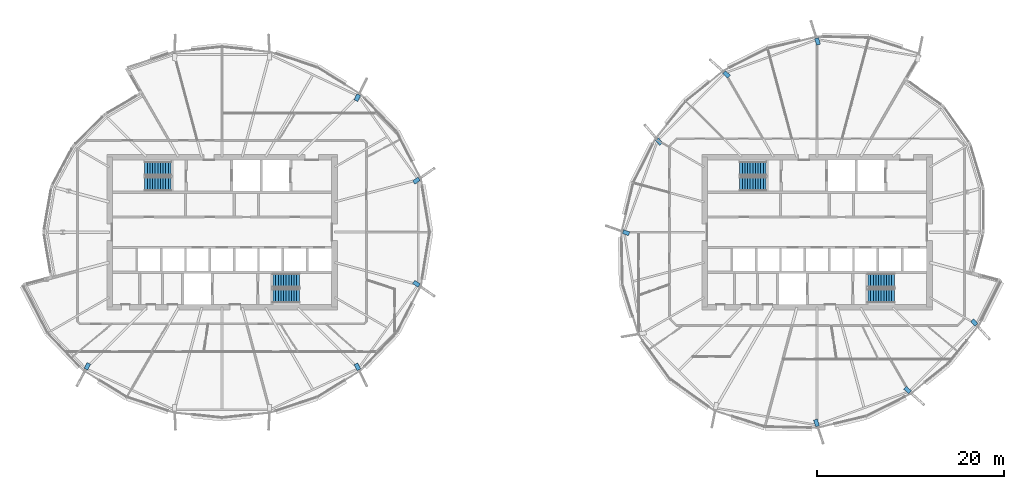
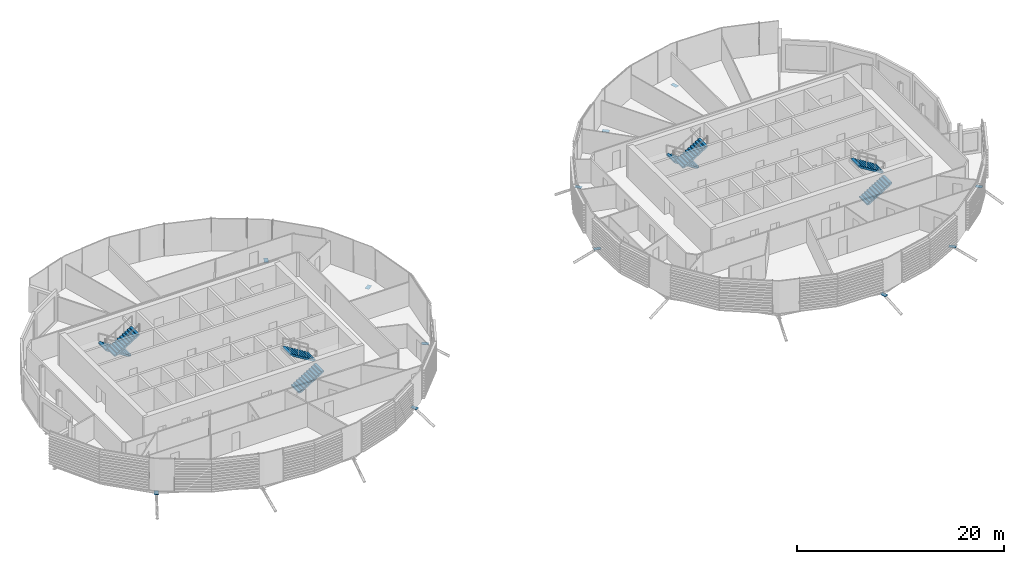
# One storey, part 24 of 36: 12 discrete accessories, 8 stair flights, 4 elements without a shape of their own.
"""IFC4 building model written with IfcOpenShell, lengths in metres."""

from ifc_helpers import new_model, si_unit, direction, frame, origin, origin_2d, place, context, subcontext, project, spatial, polyline, rectangle, outline, extrude, material, material_profile, profile_set, type_object, element, aggregate, save


model = new_model("IFC4")

# Units and contexts
model_context = context("Model", 3, precision=1e-05, world=origin(), true_north=direction((0.0, 1.0)))
body_context = subcontext(model_context, "Body", "Model", "MODEL_VIEW")
ifc_project = project(units=[si_unit("LENGTHUNIT", "METRE"), si_unit("AREAUNIT", "SQUARE_METRE"), si_unit("VOLUMEUNIT", "CUBIC_METRE"), si_unit("PLANEANGLEUNIT", "RADIAN"), si_unit("MASSUNIT", "GRAM", prefix="KILO")], contexts=[model_context])

# Site, building, storey
site_placement = place(None, origin())
site = spatial("IfcSite", under=ifc_project, at=site_placement, CompositionType="ELEMENT")
building_placement = place(site_placement, origin())
building = spatial("IfcBuilding", under=site, at=building_placement, Name="Rimbun Link Towers", CompositionType="ELEMENT")
storey_placement = place(building_placement, frame((0.0, 0.0, 174.10009765625)))
storey = spatial("IfcBuildingStorey", under=building, at=storey_placement, Name="L42", CompositionType="ELEMENT", Elevation=174.10009765625)

# Stair, stair flights
ifc_material_1 = material(Name="Concrete C40/50", Category="concrete")
stair_type = type_object("IfcStairType", Name="Exit stair 3800 rise", PredefinedType="HALF_TURN_STAIR", material=ifc_material_1)
stair_1_placement = place(storey_placement, origin())
stair_1 = element("IfcStair", 1, at=stair_1_placement, inside=storey, type_object=stair_type, Name="L42 EXIT STAIR A", PredefinedType="HALF_TURN_STAIR")
ifc_material_2 = material(Name="Concrete C40/50", Category="concrete")
stair_flight_type = type_object("IfcStairFlightType", Name="Exit stair flight 3800 rise", PredefinedType="STRAIGHT", material=ifc_material_2)
stair_flight_1_placement = place(storey_placement, frame((-37.199951171875, 6.800048828125, 0.0), z_axis=(0.0, 0.0, 1.0), x_axis=(-1.0, 0.0, 0.0)))
stair_flight_1 = element("IfcStairFlight", 2, at=stair_flight_1_placement, type_object=stair_flight_type, Name="ST1 flight 1", NumberOfRisers=11, NumberOfTreads=10, PredefinedType="STRAIGHT", RiserHeight=0.172727273, TreadLength=0.28, context=body_context, shape_type="SweptSolid", body=[
    extrude(outline(polyline([(0.0, 0.0), (0.0, 0.172607421875), (0.280029296875, 0.172607421875), (0.280029296875, 0.345458984375), (0.56005859375, 0.345458984375), (0.56005859375, 0.51806640625), (0.840087890625, 0.51806640625), (0.840087890625, 0.69091796875), (1.1201171875, 0.69091796875), (1.1201171875, 0.863525390625), (1.39990234375, 0.863525390625), (1.39990234375, 1.036376953125), (1.679931640625, 1.036376953125), (1.679931640625, 1.208984375), (1.9599609375, 1.208984375), (1.9599609375, 1.3818359375), (2.239990234375, 1.3818359375), (2.239990234375, 1.554443359375), (2.52001953125, 1.554443359375), (2.52001953125, 1.727294921875), (2.800048828125, 1.727294921875), (2.800048828125, 1.89990234375), (2.800048828125, 1.551025390625), (0.280029296875, 0.0), (0.0, 0.0)])), frame((0.0, 0.75, 0.0), z_axis=(0.0, -1.0, 0.0), x_axis=(1.0, 0.0, 0.0)), (0.0, 0.0, 1.0), 1.5),
])
stair_flight_2_placement = place(storey_placement, frame((-40.0, 5.14990234375, 1.89990234375), z_axis=(0.0, 0.0, 1.0), x_axis=(1.0, 0.0, 0.0)))
stair_flight_2 = element("IfcStairFlight", 3, at=stair_flight_2_placement, type_object=stair_flight_type, Name="ST1 flight 2", NumberOfRisers=11, NumberOfTreads=10, PredefinedType="STRAIGHT", RiserHeight=0.172727273, TreadLength=0.28, context=body_context, shape_type="SweptSolid", body=[
    extrude(outline(polyline([(0.0, 0.0), (0.0, 0.172607421875), (0.280029296875, 0.172607421875), (0.280029296875, 0.345458984375), (0.56005859375, 0.345458984375), (0.56005859375, 0.51806640625), (0.840087890625, 0.51806640625), (0.840087890625, 0.69091796875), (1.1201171875, 0.69091796875), (1.1201171875, 0.863525390625), (1.39990234375, 0.863525390625), (1.39990234375, 1.036376953125), (1.679931640625, 1.036376953125), (1.679931640625, 1.208984375), (1.9599609375, 1.208984375), (1.9599609375, 1.3818359375), (2.239990234375, 1.3818359375), (2.239990234375, 1.554443359375), (2.52001953125, 1.554443359375), (2.52001953125, 1.727294921875), (2.800048828125, 1.727294921875), (2.800048828125, 1.89990234375), (2.800048828125, 1.551025390625), (0.280029296875, 0.0), (0.0, 0.0)])), frame((0.0, 0.75, 0.0), z_axis=(0.0, -1.0, 0.0), x_axis=(1.0, 0.0, 0.0)), (0.0, 0.0, 1.0), 1.5),
])
aggregate(stair_1, [stair_flight_1, stair_flight_2])

stair_2_placement = place(storey_placement, origin())
stair_2 = element("IfcStair", 4, at=stair_2_placement, inside=storey, type_object=stair_type, Name="L42 EXIT STAIR B", PredefinedType="HALF_TURN_STAIR")
stair_flight_3_placement = place(storey_placement, frame((-26.300048828125, -6.800048828125, 0.0), z_axis=(0.0, 0.0, 1.0), x_axis=(1.0, 0.0, 0.0)))
stair_flight_3 = element("IfcStairFlight", 5, at=stair_flight_3_placement, type_object=stair_flight_type, Name="ST2 flight 1", NumberOfRisers=11, NumberOfTreads=10, PredefinedType="STRAIGHT", RiserHeight=0.172727273, TreadLength=0.28, context=body_context, shape_type="SweptSolid", body=[
    extrude(outline(polyline([(0.0, 0.0), (0.0, 0.172607421875), (0.280029296875, 0.172607421875), (0.280029296875, 0.345458984375), (0.56005859375, 0.345458984375), (0.56005859375, 0.51806640625), (0.840087890625, 0.51806640625), (0.840087890625, 0.69091796875), (1.1201171875, 0.69091796875), (1.1201171875, 0.863525390625), (1.39990234375, 0.863525390625), (1.39990234375, 1.036376953125), (1.679931640625, 1.036376953125), (1.679931640625, 1.208984375), (1.9599609375, 1.208984375), (1.9599609375, 1.3818359375), (2.239990234375, 1.3818359375), (2.239990234375, 1.554443359375), (2.52001953125, 1.554443359375), (2.52001953125, 1.727294921875), (2.800048828125, 1.727294921875), (2.800048828125, 1.89990234375), (2.800048828125, 1.551025390625), (0.280029296875, 0.0), (0.0, 0.0)])), frame((0.0, 0.75, 0.0), z_axis=(0.0, -1.0, 0.0), x_axis=(1.0, 0.0, 0.0)), (0.0, 0.0, 1.0), 1.5),
])
stair_flight_4_placement = place(storey_placement, frame((-23.5, -5.14990234375, 1.89990234375), z_axis=(0.0, 0.0, 1.0), x_axis=(-1.0, 0.0, 0.0)))
stair_flight_4 = element("IfcStairFlight", 6, at=stair_flight_4_placement, type_object=stair_flight_type, Name="ST2 flight 2", NumberOfRisers=11, NumberOfTreads=10, PredefinedType="STRAIGHT", RiserHeight=0.172727273, TreadLength=0.28, context=body_context, shape_type="SweptSolid", body=[
    extrude(outline(polyline([(0.0, 0.0), (0.0, 0.172607421875), (0.280029296875, 0.172607421875), (0.280029296875, 0.345458984375), (0.56005859375, 0.345458984375), (0.56005859375, 0.51806640625), (0.840087890625, 0.51806640625), (0.840087890625, 0.69091796875), (1.1201171875, 0.69091796875), (1.1201171875, 0.863525390625), (1.39990234375, 0.863525390625), (1.39990234375, 1.036376953125), (1.679931640625, 1.036376953125), (1.679931640625, 1.208984375), (1.9599609375, 1.208984375), (1.9599609375, 1.3818359375), (2.239990234375, 1.3818359375), (2.239990234375, 1.554443359375), (2.52001953125, 1.554443359375), (2.52001953125, 1.727294921875), (2.800048828125, 1.727294921875), (2.800048828125, 1.89990234375), (2.800048828125, 1.551025390625), (0.280029296875, 0.0), (0.0, 0.0)])), frame((0.0, 0.75, 0.0), z_axis=(0.0, -1.0, 0.0), x_axis=(1.0, 0.0, 0.0)), (0.0, 0.0, 1.0), 1.5),
])
aggregate(stair_2, [stair_flight_3, stair_flight_4])

stair_3_placement = place(storey_placement, origin())
stair_3 = element("IfcStair", 7, at=stair_3_placement, inside=storey, type_object=stair_type, Name="L42 EXIT STAIR A", PredefinedType="HALF_TURN_STAIR")
stair_flight_5_placement = place(storey_placement, frame((26.300048828125, 6.800048828125, 0.0), z_axis=(0.0, 0.0, 1.0), x_axis=(-1.0, 0.0, 0.0)))
stair_flight_5 = element("IfcStairFlight", 8, at=stair_flight_5_placement, type_object=stair_flight_type, Name="ST3 flight 1", NumberOfRisers=11, NumberOfTreads=10, PredefinedType="STRAIGHT", RiserHeight=0.172727273, TreadLength=0.28, context=body_context, shape_type="SweptSolid", body=[
    extrude(outline(polyline([(0.0, 0.0), (0.0, 0.172607421875), (0.280029296875, 0.172607421875), (0.280029296875, 0.345458984375), (0.56005859375, 0.345458984375), (0.56005859375, 0.51806640625), (0.840087890625, 0.51806640625), (0.840087890625, 0.69091796875), (1.1201171875, 0.69091796875), (1.1201171875, 0.863525390625), (1.39990234375, 0.863525390625), (1.39990234375, 1.036376953125), (1.679931640625, 1.036376953125), (1.679931640625, 1.208984375), (1.9599609375, 1.208984375), (1.9599609375, 1.3818359375), (2.239990234375, 1.3818359375), (2.239990234375, 1.554443359375), (2.52001953125, 1.554443359375), (2.52001953125, 1.727294921875), (2.800048828125, 1.727294921875), (2.800048828125, 1.89990234375), (2.800048828125, 1.551025390625), (0.280029296875, 0.0), (0.0, 0.0)])), frame((0.0, 0.75, 0.0), z_axis=(0.0, -1.0, 0.0), x_axis=(1.0, 0.0, 0.0)), (0.0, 0.0, 1.0), 1.5),
])
stair_flight_6_placement = place(storey_placement, frame((23.5, 5.14990234375, 1.89990234375), z_axis=(0.0, 0.0, 1.0), x_axis=(1.0, 0.0, 0.0)))
stair_flight_6 = element("IfcStairFlight", 9, at=stair_flight_6_placement, type_object=stair_flight_type, Name="ST3 flight 2", NumberOfRisers=11, NumberOfTreads=10, PredefinedType="STRAIGHT", RiserHeight=0.172727273, TreadLength=0.28, context=body_context, shape_type="SweptSolid", body=[
    extrude(outline(polyline([(0.0, 0.0), (0.0, 0.172607421875), (0.280029296875, 0.172607421875), (0.280029296875, 0.345458984375), (0.56005859375, 0.345458984375), (0.56005859375, 0.51806640625), (0.840087890625, 0.51806640625), (0.840087890625, 0.69091796875), (1.1201171875, 0.69091796875), (1.1201171875, 0.863525390625), (1.39990234375, 0.863525390625), (1.39990234375, 1.036376953125), (1.679931640625, 1.036376953125), (1.679931640625, 1.208984375), (1.9599609375, 1.208984375), (1.9599609375, 1.3818359375), (2.239990234375, 1.3818359375), (2.239990234375, 1.554443359375), (2.52001953125, 1.554443359375), (2.52001953125, 1.727294921875), (2.800048828125, 1.727294921875), (2.800048828125, 1.89990234375), (2.800048828125, 1.551025390625), (0.280029296875, 0.0), (0.0, 0.0)])), frame((0.0, 0.75, 0.0), z_axis=(0.0, -1.0, 0.0), x_axis=(1.0, 0.0, 0.0)), (0.0, 0.0, 1.0), 1.5),
])
aggregate(stair_3, [stair_flight_5, stair_flight_6])

stair_4_placement = place(storey_placement, origin())
stair_4 = element("IfcStair", 10, at=stair_4_placement, inside=storey, type_object=stair_type, Name="L42 EXIT STAIR B", PredefinedType="HALF_TURN_STAIR")
stair_flight_7_placement = place(storey_placement, frame((37.199951171875, -6.800048828125, 0.0), z_axis=(0.0, 0.0, 1.0), x_axis=(1.0, 0.0, 0.0)))
stair_flight_7 = element("IfcStairFlight", 11, at=stair_flight_7_placement, type_object=stair_flight_type, Name="ST4 flight 1", NumberOfRisers=11, NumberOfTreads=10, PredefinedType="STRAIGHT", RiserHeight=0.172727273, TreadLength=0.28, context=body_context, shape_type="SweptSolid", body=[
    extrude(outline(polyline([(0.0, 0.0), (0.0, 0.172607421875), (0.280029296875, 0.172607421875), (0.280029296875, 0.345458984375), (0.56005859375, 0.345458984375), (0.56005859375, 0.51806640625), (0.840087890625, 0.51806640625), (0.840087890625, 0.69091796875), (1.1201171875, 0.69091796875), (1.1201171875, 0.863525390625), (1.39990234375, 0.863525390625), (1.39990234375, 1.036376953125), (1.679931640625, 1.036376953125), (1.679931640625, 1.208984375), (1.9599609375, 1.208984375), (1.9599609375, 1.3818359375), (2.239990234375, 1.3818359375), (2.239990234375, 1.554443359375), (2.52001953125, 1.554443359375), (2.52001953125, 1.727294921875), (2.800048828125, 1.727294921875), (2.800048828125, 1.89990234375), (2.800048828125, 1.551025390625), (0.280029296875, 0.0), (0.0, 0.0)])), frame((0.0, 0.75, 0.0), z_axis=(0.0, -1.0, 0.0), x_axis=(1.0, 0.0, 0.0)), (0.0, 0.0, 1.0), 1.5),
])
stair_flight_8_placement = place(storey_placement, frame((40.0, -5.14990234375, 1.89990234375), z_axis=(0.0, 0.0, 1.0), x_axis=(-1.0, 0.0, 0.0)))
stair_flight_8 = element("IfcStairFlight", 12, at=stair_flight_8_placement, type_object=stair_flight_type, Name="ST4 flight 2", NumberOfRisers=11, NumberOfTreads=10, PredefinedType="STRAIGHT", RiserHeight=0.172727273, TreadLength=0.28, context=body_context, shape_type="SweptSolid", body=[
    extrude(outline(polyline([(0.0, 0.0), (0.0, 0.172607421875), (0.280029296875, 0.172607421875), (0.280029296875, 0.345458984375), (0.56005859375, 0.345458984375), (0.56005859375, 0.51806640625), (0.840087890625, 0.51806640625), (0.840087890625, 0.69091796875), (1.1201171875, 0.69091796875), (1.1201171875, 0.863525390625), (1.39990234375, 0.863525390625), (1.39990234375, 1.036376953125), (1.679931640625, 1.036376953125), (1.679931640625, 1.208984375), (1.9599609375, 1.208984375), (1.9599609375, 1.3818359375), (2.239990234375, 1.3818359375), (2.239990234375, 1.554443359375), (2.52001953125, 1.554443359375), (2.52001953125, 1.727294921875), (2.800048828125, 1.727294921875), (2.800048828125, 1.89990234375), (2.800048828125, 1.551025390625), (0.280029296875, 0.0), (0.0, 0.0)])), frame((0.0, 0.75, 0.0), z_axis=(0.0, -1.0, 0.0), x_axis=(1.0, 0.0, 0.0)), (0.0, 0.0, 1.0), 1.5),
])
aggregate(stair_4, [stair_flight_7, stair_flight_8])

# Discrete accessories
ifc_material_3 = material(Name="Steel S355J2H", Category="steel")
ifc_material_profile = material_profile(ifc_material_3, rectangle(XDim=0.43310546875, YDim=0.43310546875, at=origin_2d()), Name="PL 433x433")
ifc_profile_set = profile_set([ifc_material_profile], Name="Steel S355J2H")
discrete_accessory_type = type_object("IfcDiscreteAccessoryType", Name="Link head end plate 433X20", PredefinedType="BRACKET", material=ifc_profile_set)
discrete_accessory_1_placement = place(storey_placement, frame((0.0, 0.0, -0.703125)))
element("IfcDiscreteAccessory", 13, at=discrete_accessory_1_placement, inside=storey, type_object=discrete_accessory_type, Name="Link head end plate T1 L42 01", PredefinedType="BRACKET", context=body_context, shape_type="SweptSolid", body=[
    extrude(outline(polyline([(-11.170166015625, 5.118408203125), (-10.586181640625, 5.5244140625), (-10.833251953125, 5.8798828125), (-11.417236328125, 5.47412109375), (-11.170166015625, 5.118408203125)])), origin(), (0.0, 0.0, 1.0), 0.02001953125),
])
discrete_accessory_2_placement = place(storey_placement, frame((0.0, 0.0, -0.703125)))
element("IfcDiscreteAccessory", 14, at=discrete_accessory_2_placement, inside=storey, type_object=discrete_accessory_type, Name="Link head end plate T1 L42 03", PredefinedType="BRACKET", context=body_context, shape_type="SweptSolid", body=[
    extrude(outline(polyline([(-17.272216796875, 13.94775390625), (-16.960693359375, 14.583984375), (-17.349609375, 14.7744140625), (-17.6611328125, 14.13818359375), (-17.272216796875, 13.94775390625)])), origin(), (0.0, 0.0, 1.0), 0.02001953125),
])
discrete_accessory_3_placement = place(storey_placement, frame((0.0, 0.0, -0.703125)))
element("IfcDiscreteAccessory", 15, at=discrete_accessory_3_placement, inside=storey, type_object=discrete_accessory_type, Name="Link head end plate T1 L42 15", PredefinedType="BRACKET", context=body_context, shape_type="SweptSolid", body=[
    extrude(outline(polyline([(-46.153076171875, -13.898681640625), (-46.47802734375, -14.51171875), (-46.095458984375, -14.714599609375), (-45.7705078125, -14.101318359375), (-46.153076171875, -13.898681640625)])), origin(), (0.0, 0.0, 1.0), 0.02001953125),
])
discrete_accessory_4_placement = place(storey_placement, frame((0.0, 0.0, -0.703125)))
element("IfcDiscreteAccessory", 16, at=discrete_accessory_4_placement, inside=storey, type_object=discrete_accessory_type, Name="Link head end plate T1 L42 21", PredefinedType="BRACKET", context=body_context, shape_type="SweptSolid", body=[
    extrude(outline(polyline([(-17.6611328125, -14.13818359375), (-17.349609375, -14.7744140625), (-16.960693359375, -14.583984375), (-17.272216796875, -13.94775390625), (-17.6611328125, -14.13818359375)])), origin(), (0.0, 0.0, 1.0), 0.02001953125),
])
discrete_accessory_5_placement = place(storey_placement, frame((0.0, 0.0, -0.703125)))
element("IfcDiscreteAccessory", 17, at=discrete_accessory_5_placement, inside=storey, type_object=discrete_accessory_type, Name="Link head end plate T1 L42 23", PredefinedType="BRACKET", context=body_context, shape_type="SweptSolid", body=[
    extrude(outline(polyline([(-11.417236328125, -5.47412109375), (-10.833251953125, -5.8798828125), (-10.586181640625, -5.5244140625), (-11.170166015625, -5.118408203125), (-11.417236328125, -5.47412109375)])), origin(), (0.0, 0.0, 1.0), 0.02001953125),
])
discrete_accessory_6_placement = place(storey_placement, frame((0.0, 0.0, -0.853515625)))
element("IfcDiscreteAccessory", 18, at=discrete_accessory_6_placement, inside=storey, type_object=discrete_accessory_type, Name="Link head end plate T2 L42 03", PredefinedType="BRACKET", context=body_context, shape_type="SweptSolid", body=[
    extrude(outline(polyline([(32.12548828125, 20.07080078125), (31.8994140625, 20.766845703125), (31.487548828125, 20.633056640625), (31.713623046875, 19.93701171875), (32.12548828125, 20.07080078125)])), origin(), (0.0, 0.0, 1.0), 0.02001953125),
])
discrete_accessory_7_placement = place(storey_placement, frame((0.0, 0.0, -0.703125)))
element("IfcDiscreteAccessory", 19, at=discrete_accessory_7_placement, inside=storey, type_object=discrete_accessory_type, Name="Link head end plate T2 L42 05", PredefinedType="BRACKET", context=body_context, shape_type="SweptSolid", body=[
    extrude(outline(polyline([(22.501220703125, 16.76220703125), (21.9677734375, 17.2412109375), (21.678466796875, 16.919189453125), (22.2119140625, 16.43994140625), (22.501220703125, 16.76220703125)])), origin(), (0.0, 0.0, 1.0), 0.02001953125),
])
discrete_accessory_8_placement = place(storey_placement, frame((0.0, 0.0, -0.473388671875)))
element("IfcDiscreteAccessory", 20, at=discrete_accessory_8_placement, inside=storey, type_object=discrete_accessory_type, Name="Link head end plate T2 L42 07", PredefinedType="BRACKET", context=body_context, shape_type="SweptSolid", body=[
    extrude(outline(polyline([(15.283203125, 9.55078125), (14.83642578125, 10.071533203125), (14.5078125, 9.78955078125), (14.95458984375, 9.268798828125), (15.283203125, 9.55078125)])), origin(), (0.0, 0.0, 1.0), 0.019775390625),
])
discrete_accessory_9_placement = place(storey_placement, frame((0.0, 0.0, -0.62353515625)))
element("IfcDiscreteAccessory", 21, at=discrete_accessory_9_placement, inside=storey, type_object=discrete_accessory_type, Name="Link head end plate T2 L42 09", PredefinedType="BRACKET", context=body_context, shape_type="SweptSolid", body=[
    extrude(outline(polyline([(11.77978515625, 0.033935546875), (11.122314453125, 0.265380859375), (10.978515625, -0.14306640625), (11.635986328125, -0.37451171875), (11.77978515625, 0.033935546875)])), origin(), (0.0, 0.0, 1.0), 0.02001953125),
])
discrete_accessory_10_placement = place(storey_placement, frame((0.0, 0.0, -0.853515625)))
element("IfcDiscreteAccessory", 22, at=discrete_accessory_10_placement, inside=storey, type_object=discrete_accessory_type, Name="Link head end plate T2 L42 15", PredefinedType="BRACKET", context=body_context, shape_type="SweptSolid", body=[
    extrude(outline(polyline([(31.37451171875, -20.07080078125), (31.6005859375, -20.766845703125), (32.012451171875, -20.633056640625), (31.786376953125, -19.93701171875), (31.37451171875, -20.07080078125)])), origin(), (0.0, 0.0, 1.0), 0.02001953125),
])
discrete_accessory_11_placement = place(storey_placement, frame((0.0, 0.0, -0.703125)))
element("IfcDiscreteAccessory", 23, at=discrete_accessory_11_placement, inside=storey, type_object=discrete_accessory_type, Name="Link head end plate T2 L42 17", PredefinedType="BRACKET", context=body_context, shape_type="SweptSolid", body=[
    extrude(outline(polyline([(40.998779296875, -16.76220703125), (41.5322265625, -17.2412109375), (41.821533203125, -16.919189453125), (41.2880859375, -16.43994140625), (40.998779296875, -16.76220703125)])), origin(), (0.0, 0.0, 1.0), 0.02001953125),
])
discrete_accessory_12_placement = place(storey_placement, frame((0.0, 0.0, -0.473388671875)))
element("IfcDiscreteAccessory", 24, at=discrete_accessory_12_placement, inside=storey, type_object=discrete_accessory_type, Name="Link head end plate T2 L42 19", PredefinedType="BRACKET", context=body_context, shape_type="SweptSolid", body=[
    extrude(outline(polyline([(48.140380859375, -9.530517578125), (48.594482421875, -10.028076171875), (48.914306640625, -9.736083984375), (48.460205078125, -9.238525390625), (48.140380859375, -9.530517578125)])), origin(), (0.0, 0.0, 1.0), 0.019775390625),
])

save(model, "model.ifc")
